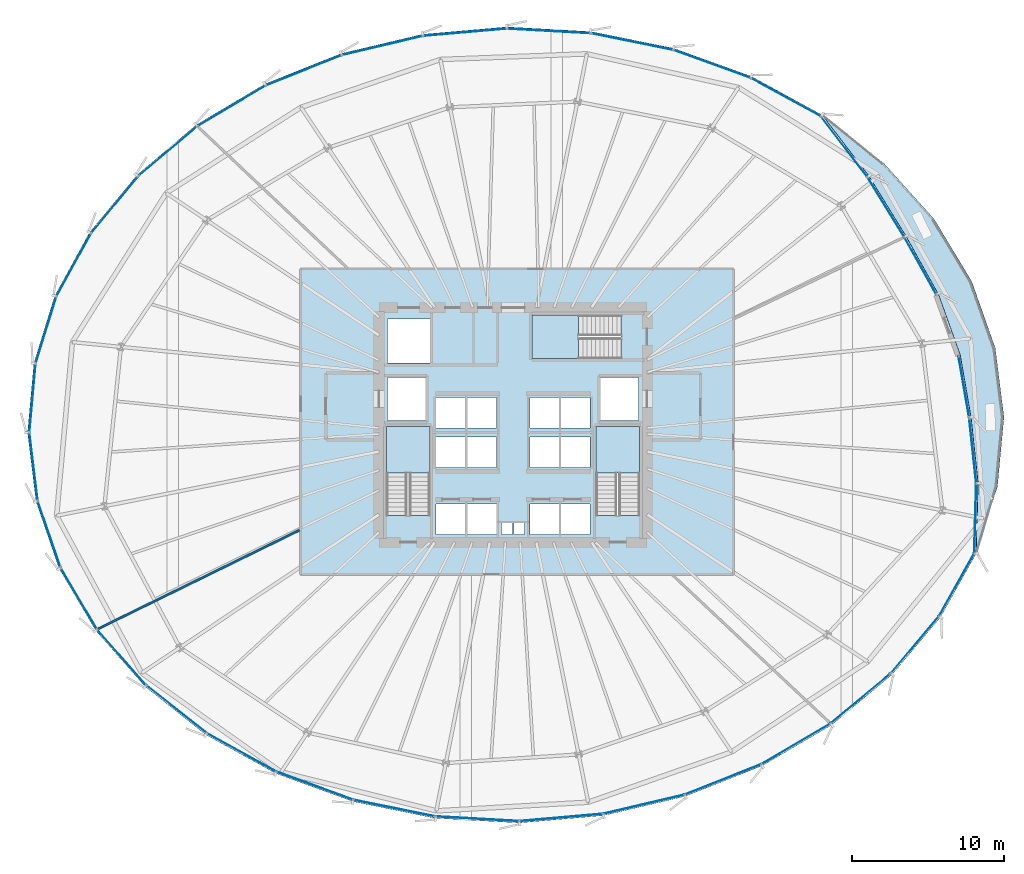
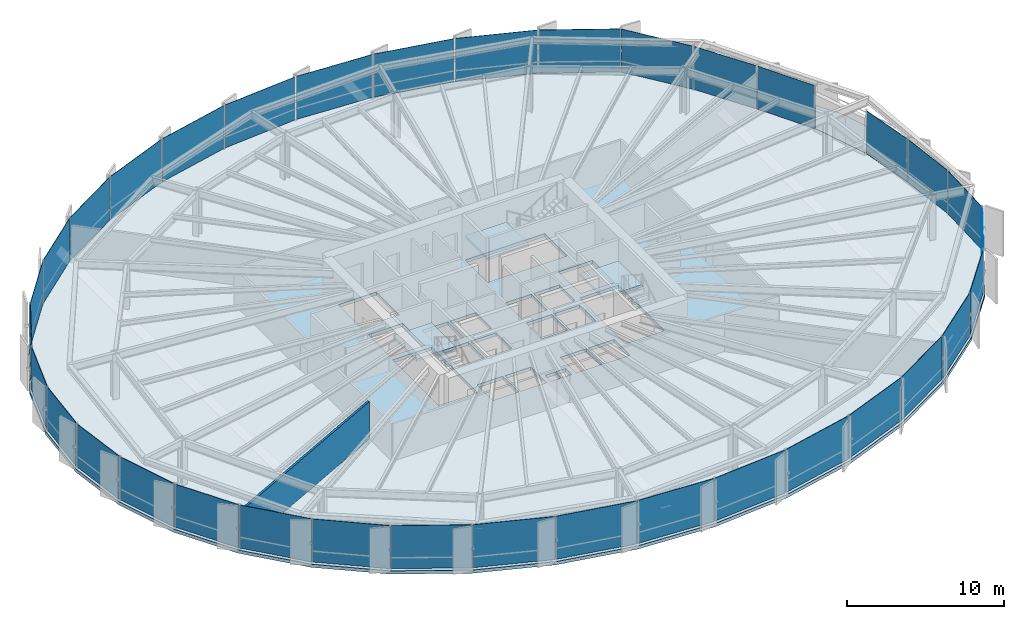
# One storey, part 30 of 39: 35 plates, 5 slabs, 1 wall, 10 elements without a shape of their own.
"""IFC4 building model written with IfcOpenShell, lengths in metres."""

from ifc_helpers import new_model, si_unit, direction, frame, frame_2d, origin, origin_2d, place, context, subcontext, project, spatial, polyline, rectangle, outline, extrude, source, transform, mapped, material, layer, layer_set, type_object, element, aggregate, save


model = new_model("IFC4")

# Units and contexts
model_context = context("Model", 3, precision=1e-05, world=origin(), true_north=direction((0.0, 1.0)))
body_context = subcontext(model_context, "Body", "Model", "MODEL_VIEW")
ifc_project = project(units=[si_unit("LENGTHUNIT", "METRE"), si_unit("AREAUNIT", "SQUARE_METRE"), si_unit("VOLUMEUNIT", "CUBIC_METRE"), si_unit("PLANEANGLEUNIT", "RADIAN"), si_unit("MASSUNIT", "GRAM", prefix="KILO"), si_unit("THERMODYNAMICTEMPERATUREUNIT", "KELVIN")], contexts=[model_context])

# Site, building, storey
site_placement = place(None, origin())
site = spatial("IfcSite", under=ifc_project, at=site_placement, CompositionType="ELEMENT")
building_placement = place(site_placement, origin())
building = spatial("IfcBuilding", under=site, at=building_placement, Name="Kethvar Cultural Tower", CompositionType="ELEMENT")
storey_placement = place(building_placement, frame((0.0, 0.0, 33.39990234375)))
storey = spatial("IfcBuildingStorey", under=building, at=storey_placement, Name="L07", CompositionType="ELEMENT", Elevation=33.39990234375)

# Stair, slab
ifc_material_1 = material(Name="Concrete C40/50", Category="concrete")
stair_type = type_object("IfcStairType", Name="ST-DOGLEG-135", PredefinedType="HALF_TURN_STAIR", material=ifc_material_1)
stair_1_placement = place(storey_placement, origin())
stair_1 = element("IfcStair", 1, at=stair_1_placement, inside=storey, type_object=stair_type, Name="L07 Core Exit Stair 1", PredefinedType="HALF_TURN_STAIR")
ifc_layer_1 = layer(ifc_material_1, 0.199951171875, Name="Concrete C40/50", Category="concrete")
ifc_layer_set_1 = layer_set([ifc_layer_1], Name="Concrete C40/50 (200 mm)")
slab_type_1 = type_object("IfcSlabType", Name="SL-STAIR-LANDING-200", PredefinedType="LANDING", material=ifc_layer_set_1)
slab_1_placement = place(storey_placement, frame((0.0, 0.0, 1.7001953125)))
slab_1 = element("IfcSlab", 2, at=slab_1_placement, type_object=slab_type_1, Name="ST-01 landing 1", PredefinedType="LANDING", context=body_context, shape_type="SweptSolid", body=[
    extrude(outline(polyline([(41.35009765625, 24.64990234375), (41.35009765625, 27.699951171875), (38.489990234375, 27.699951171875), (38.489990234375, 24.64990234375), (41.35009765625, 24.64990234375)])), origin(), (0.0, 0.0, 1.0), 0.199951171875),
])
aggregate(stair_1, [slab_1])

stair_2_placement = place(storey_placement, origin())
stair_2 = element("IfcStair", 3, at=stair_2_placement, inside=storey, type_object=stair_type, Name="L07 Core Exit Stair 2", PredefinedType="HALF_TURN_STAIR")
slab_2_placement = place(storey_placement, frame((0.0, 0.0, 1.7001953125)))
slab_2 = element("IfcSlab", 4, at=slab_2_placement, type_object=slab_type_1, Name="ST-02 landing 1", PredefinedType="LANDING", context=body_context, shape_type="SweptSolid", body=[
    extrude(outline(polyline([(55.110107421875, 24.64990234375), (55.110107421875, 27.699951171875), (52.25, 27.699951171875), (52.25, 24.64990234375), (55.110107421875, 24.64990234375)])), origin(), (0.0, 0.0, 1.0), 0.199951171875),
])
aggregate(stair_2, [slab_2])

stair_3_placement = place(storey_placement, origin())
stair_3 = element("IfcStair", 5, at=stair_3_placement, inside=storey, type_object=stair_type, Name="L07 Core Exit Stair 3", PredefinedType="HALF_TURN_STAIR")
slab_3_placement = place(storey_placement, frame((0.0, 0.0, 1.7001953125)))
slab_3 = element("IfcSlab", 6, at=slab_3_placement, type_object=slab_type_1, Name="ST-03 landing 1", PredefinedType="LANDING", context=body_context, shape_type="SweptSolid", body=[
    extrude(outline(polyline([(51.10009765625, 35.010009765625), (48.050048828125, 35.010009765625), (48.050048828125, 32.14990234375), (51.10009765625, 32.14990234375), (51.10009765625, 35.010009765625)])), origin(), (0.0, 0.0, 1.0), 0.199951171875),
])
aggregate(stair_3, [slab_3])

# Slabs
ifc_layer_2 = layer(ifc_material_1, 0.215087890625, Name="Concrete C40/50", Category="concrete")
ifc_layer_set_2 = layer_set([ifc_layer_2], Name="Concrete C40/50 (215 mm)")
slab_type_2 = type_object("IfcSlabType", Name="SL-TER-EXT", PredefinedType="FLOOR", material=ifc_layer_set_2)
slab_4_placement = place(storey_placement, frame((0.0, 0.0, -0.21484375)))
element("IfcSlab", 7, at=slab_4_placement, inside=storey, type_object=slab_type_2, Name="L07 Spiralling Sky Terrace Deck", PredefinedType="FLOOR", context=body_context, shape_type="SweptSolid", body=[
    extrude(outline(polyline([(77.201416015625, 19.335693359375), (78.608154296875, 23.759765625), (79.0341796875, 28.306396484375), (78.465576171875, 32.83740234375), (76.920654296875, 37.215087890625), (74.45166015625, 41.306640625), (71.140625, 44.98779296875), (67.09619140625, 48.146728515625), (70.163818359375, 44.1416015625), (72.596435546875, 40.1962890625), (74.725341796875, 36.376708984375), (76.157958984375, 32.39306640625), (76.87255859375, 28.2724609375), (77.331787109375, 23.964111328125), (77.201416015625, 19.335693359375)])), origin(), (0.0, 0.0, 1.0), 0.21484375),
])
ifc_layer_3 = layer(ifc_material_1, 0.25, Name="Concrete C40/50", Category="concrete")
ifc_layer_set_3 = layer_set([ifc_layer_3], Name="Concrete C40/50 (250 mm)")
slab_type_3 = type_object("IfcSlabType", Name="SL-TOW-250", PredefinedType="FLOOR", material=ifc_layer_set_3)
slab_5_placement = place(storey_placement, frame((0.0, 0.0, -0.25)))
element("IfcSlab", 8, at=slab_5_placement, inside=storey, type_object=slab_type_3, Name="L07 Structural Floor Slab", PredefinedType="FLOOR", context=body_context, shape_type="SweptSolid", body=[
    extrude(outline(polyline([(76.87255859375, 28.2724609375), (76.157958984375, 32.39306640625), (74.725341796875, 36.376708984375), (72.596435546875, 40.1962890625), (70.163818359375, 44.1416015625), (67.09619140625, 48.146728515625), (62.448486328125, 50.6875), (57.34326171875, 52.533447265625), (51.936767578125, 53.6279296875), (46.389404296875, 53.93798828125), (40.85888671875, 53.453857421875), (35.509033203125, 52.1904296875), (30.502197265625, 50.185791015625), (25.990478515625, 47.5009765625), (22.111083984375, 44.217529296875), (18.98193359375, 40.435302734375), (16.697998046875, 36.26904296875), (15.32861328125, 31.845458984375), (14.91552734375, 27.299072265625), (15.47119140625, 22.767822265625), (16.97900390625, 18.3896484375), (19.392578125, 14.297119140625), (22.63916015625, 10.614990234375), (26.61962890625, 7.455078125), (31.21337890625, 4.913330078125), (36.28076171875, 3.06689453125), (41.667724609375, 1.97216796875), (47.210693359375, 1.662109375), (52.745361328125, 2.14599609375), (58.114990234375, 3.409912109375), (63.15966796875, 5.415283203125), (67.725341796875, 8.100830078125), (71.66845703125, 11.38525390625), (74.8623046875, 15.168701171875), (77.201416015625, 19.335693359375), (77.331787109375, 23.964111328125), (76.87255859375, 28.2724609375)]), holes=[polyline([(38.489990234375, 21.85009765625), (38.489990234375, 27.699951171875), (41.35009765625, 27.699951171875), (41.35009765625, 21.85009765625), (38.489990234375, 21.85009765625)]), polyline([(52.25, 21.85009765625), (52.25, 27.699951171875), (55.110107421875, 27.699951171875), (55.110107421875, 21.85009765625), (52.25, 21.85009765625)]), polyline([(53.89990234375, 32.14990234375), (48.050048828125, 32.14990234375), (48.050048828125, 35.010009765625), (53.89990234375, 35.010009765625), (53.89990234375, 32.14990234375)]), polyline([(41.75, 22.60009765625), (43.64990234375, 22.60009765625), (43.64990234375, 20.60009765625), (41.75, 20.60009765625), (41.75, 22.60009765625)]), polyline([(43.800048828125, 22.60009765625), (45.699951171875, 22.60009765625), (45.699951171875, 20.60009765625), (43.800048828125, 20.60009765625), (43.800048828125, 22.60009765625)]), polyline([(47.89990234375, 22.60009765625), (49.800048828125, 22.60009765625), (49.800048828125, 20.60009765625), (47.89990234375, 20.60009765625), (47.89990234375, 22.60009765625)]), polyline([(49.949951171875, 22.60009765625), (51.85009765625, 22.60009765625), (51.85009765625, 20.60009765625), (49.949951171875, 20.60009765625), (49.949951171875, 22.60009765625)]), polyline([(41.75, 27.0), (43.64990234375, 27.0), (43.64990234375, 25.0), (41.75, 25.0), (41.75, 27.0)]), polyline([(43.800048828125, 27.0), (45.699951171875, 27.0), (45.699951171875, 25.0), (43.800048828125, 25.0), (43.800048828125, 27.0)]), polyline([(47.89990234375, 27.0), (49.800048828125, 27.0), (49.800048828125, 25.0), (47.89990234375, 25.0), (47.89990234375, 27.0)]), polyline([(49.949951171875, 27.0), (51.85009765625, 27.0), (51.85009765625, 25.0), (49.949951171875, 25.0), (49.949951171875, 27.0)]), polyline([(41.75, 29.60009765625), (43.64990234375, 29.60009765625), (43.64990234375, 27.60009765625), (41.75, 27.60009765625), (41.75, 29.60009765625)]), polyline([(43.800048828125, 29.60009765625), (45.699951171875, 29.60009765625), (45.699951171875, 27.60009765625), (43.800048828125, 27.60009765625), (43.800048828125, 29.60009765625)]), polyline([(47.89990234375, 29.60009765625), (49.800048828125, 29.60009765625), (49.800048828125, 27.60009765625), (47.89990234375, 27.60009765625), (47.89990234375, 29.60009765625)]), polyline([(49.949951171875, 29.60009765625), (51.85009765625, 29.60009765625), (51.85009765625, 27.60009765625), (49.949951171875, 27.60009765625), (49.949951171875, 29.60009765625)]), polyline([(38.550048828125, 30.89990234375), (41.050048828125, 30.89990234375), (41.050048828125, 28.10009765625), (38.550048828125, 28.10009765625), (38.550048828125, 30.89990234375)]), polyline([(52.550048828125, 30.89990234375), (55.050048828125, 30.89990234375), (55.050048828125, 28.10009765625), (52.550048828125, 28.10009765625), (52.550048828125, 30.89990234375)]), polyline([(38.550048828125, 34.75), (41.35009765625, 34.75), (41.35009765625, 31.85009765625), (38.550048828125, 31.85009765625), (38.550048828125, 34.75)]), polyline([(46.050048828125, 21.35009765625), (46.75, 21.35009765625), (46.75, 20.60009765625), (46.050048828125, 20.60009765625), (46.050048828125, 21.35009765625)]), polyline([(46.85009765625, 21.35009765625), (47.550048828125, 21.35009765625), (47.550048828125, 20.60009765625), (46.85009765625, 20.60009765625), (46.85009765625, 21.35009765625)])]), origin(), (0.0, 0.0, 1.0), 0.25),
])

# Curtain wall, plate
ifc_material_2 = material(Name="Aluminium 6063-T6", Category="aluminium")
ifc_layer_4 = layer(ifc_material_2, 0.179931640625, Name="Aluminium 6063-T6", Category="aluminium")
ifc_layer_set_4 = layer_set([ifc_layer_4], Name="Aluminium 6063-T6 (180 mm)")
curtain_wall_type = type_object("IfcCurtainWallType", Name="CW-SYS-02-Z1", PredefinedType="NOTDEFINED", material=ifc_layer_set_4)
curtain_wall_1_placement = place(storey_placement, origin())
curtain_wall_1 = element("IfcCurtainWall", 9, at=curtain_wall_1_placement, inside=storey, type_object=curtain_wall_type, Name="L07 Curtain Wall Run 01", PredefinedType="NOTDEFINED")
ifc_material_3 = material(Name="Insulated Low-E Solar Glass", Category="glass")
ifc_layer_5 = layer(ifc_material_3, 0.031982421875, Name="Insulated Low-E Solar Glass", Category="glass")
ifc_layer_set_5 = layer_set([ifc_layer_5], Name="Insulated Low-E Solar Glass (32 mm)")
plate_type = type_object("IfcPlateType", Name="CW-SYS-02-Z1-PNL", PredefinedType="CURTAIN_PANEL", material=ifc_layer_set_5)
shared_shape_1 = source(origin(), body_context, "Body", "SweptSolid", [
    extrude(rectangle(XDim=4.08837890625, YDim=0.031982421875, at=origin_2d()), origin(), (0.0, 0.0, 1.0), 3.35009765625),
])
plate_1_placement = place(storey_placement, frame((76.397216796875, 30.312255859375, 0.10009765625), z_axis=(0.0, 0.0, 1.0), x_axis=(-0.170897402123, 0.985288829708, 0.0)))
plate_1 = element("IfcPlate", 10, at=plate_1_placement, type_object=plate_type, Name="CW-L07-R01 Vision Glazing Panel 1", PredefinedType="CURTAIN_PANEL", context=body_context, shape_type="MappedRepresentation", body=[
    mapped(shared_shape_1, transform((0.0, 0.0, 0.0), scale=1.0)),
])
aggregate(curtain_wall_1, [plate_1])

# Curtain wall, plates
curtain_wall_2_placement = place(storey_placement, origin())
curtain_wall_2 = element("IfcCurtainWall", 11, at=curtain_wall_2_placement, inside=storey, type_object=curtain_wall_type, Name="L07 Curtain Wall Run 02", PredefinedType="NOTDEFINED")
shared_shape_2 = source(origin(), body_context, "Body", "SweptSolid", [
    extrude(rectangle(XDim=4.279052734375, YDim=0.031982421875, at=origin_2d()), origin(), (0.0, 0.0, 1.0), 3.35009765625),
])
plate_2_placement = place(storey_placement, frame((73.55615234375, 38.22802734375, 0.10009765625), z_axis=(0.0, 0.0, 1.0), x_axis=(-0.486838556403, 0.873491969053, 0.0)))
plate_2 = element("IfcPlate", 12, at=plate_2_placement, type_object=plate_type, Name="CW-L07-R02 Vision Glazing Panel 1", PredefinedType="CURTAIN_PANEL", context=body_context, shape_type="MappedRepresentation", body=[
    mapped(shared_shape_2, transform((0.0, 0.0, 0.0), scale=1.0)),
])
shared_shape_3 = source(origin(), body_context, "Body", "SweptSolid", [
    extrude(rectangle(XDim=4.54150390625, YDim=0.031982421875, at=origin_2d()), origin(), (0.0, 0.0, 1.0), 3.35009765625),
])
plate_3_placement = place(storey_placement, frame((71.278076171875, 42.10595703125, 0.10009765625), z_axis=(0.0, 0.0, 1.0), x_axis=(-0.524877544859, 0.851177750474, 0.0)))
plate_3 = element("IfcPlate", 13, at=plate_3_placement, type_object=plate_type, Name="CW-L07-R02 Vision Glazing Panel 2", PredefinedType="CURTAIN_PANEL", context=body_context, shape_type="MappedRepresentation", body=[
    mapped(shared_shape_3, transform((0.0, 0.0, 0.0), scale=1.0)),
])
shared_shape_4 = source(origin(), body_context, "Body", "SweptSolid", [
    extrude(rectangle(XDim=4.951416015625, YDim=0.031982421875, at=origin_2d()), origin(), (0.0, 0.0, 1.0), 3.35009765625),
])
plate_4_placement = place(storey_placement, frame((68.534912109375, 46.0712890625, 0.10009765625), z_axis=(0.0, 0.0, 1.0), x_axis=(-0.608027297384, 0.793916120025, 0.0)))
plate_4 = element("IfcPlate", 14, at=plate_4_placement, type_object=plate_type, Name="CW-L07-R02 Vision Glazing Panel 3", PredefinedType="CURTAIN_PANEL", context=body_context, shape_type="MappedRepresentation", body=[
    mapped(shared_shape_4, transform((0.0, 0.0, 0.0), scale=1.0)),
])
shared_shape_5 = source(origin(), body_context, "Body", "SweptSolid", [
    extrude(rectangle(XDim=5.203369140625, YDim=0.031982421875, at=origin_2d()), origin(), (0.0, 0.0, 1.0), 3.35009765625),
])
plate_5_placement = place(storey_placement, frame((64.71484375, 49.31201171875, 0.10009765625), z_axis=(0.0, 0.0, 1.0), x_axis=(-0.877439351872, 0.479687589777, 0.0)))
plate_5 = element("IfcPlate", 15, at=plate_5_placement, type_object=plate_type, Name="CW-L07-R02 Vision Glazing Panel 4", PredefinedType="CURTAIN_PANEL", context=body_context, shape_type="MappedRepresentation", body=[
    mapped(shared_shape_5, transform((0.0, 0.0, 0.0), scale=1.0)),
])

# Curtain wall, plate
curtain_wall_3_placement = place(storey_placement, origin())
curtain_wall_3 = element("IfcCurtainWall", 16, at=curtain_wall_3_placement, inside=storey, type_object=curtain_wall_type, Name="L07 Curtain Wall Run 06", PredefinedType="NOTDEFINED")
plate_6_placement = place(storey_placement, frame((65.381591796875, 6.861572265625, 0.10009765625), z_axis=(0.0, 0.0, 1.0), x_axis=(0.861939037204, 0.507011928996, 0.0)))
plate_6 = element("IfcPlate", 17, at=plate_6_placement, type_object=plate_type, Name="CW-L07-R06 Vision Glazing Panel 5", PredefinedType="CURTAIN_PANEL", context=body_context, shape_type="MappedRepresentation", body=[
    mapped(shared_shape_5, transform((0.0, 0.0, 0.0), scale=1.0)),
])

# Plate
shared_shape_6 = source(origin(), body_context, "Body", "SweptSolid", [
    extrude(rectangle(XDim=5.335205078125, YDim=0.031982421875, at=origin_2d()), origin(), (0.0, 0.0, 1.0), 3.35009765625),
])
plate_7_placement = place(storey_placement, frame((59.85498046875, 51.497802734375, 0.10009765625), z_axis=(0.0, 0.0, 1.0), x_axis=(-0.940424688355, 0.340002066952, 0.0)))
plate_7 = element("IfcPlate", 18, at=plate_7_placement, type_object=plate_type, Name="CW-L07-R02 Vision Glazing Panel 5", PredefinedType="CURTAIN_PANEL", context=body_context, shape_type="MappedRepresentation", body=[
    mapped(shared_shape_6, transform((0.0, 0.0, 0.0), scale=1.0)),
])

plate_8_placement = place(storey_placement, frame((60.593017578125, 4.524169921875, 0.10009765625), z_axis=(0.0, 0.0, 1.0), x_axis=(0.92928092253, 0.369373749774, 0.0)))
plate_8 = element("IfcPlate", 19, at=plate_8_placement, type_object=plate_type, Name="CW-L07-R06 Vision Glazing Panel 4", PredefinedType="CURTAIN_PANEL", context=body_context, shape_type="MappedRepresentation", body=[
    mapped(shared_shape_6, transform((0.0, 0.0, 0.0), scale=1.0)),
])

shared_shape_7 = source(origin(), body_context, "Body", "SweptSolid", [
    extrude(rectangle(XDim=5.422607421875, YDim=0.031982421875, at=origin_2d()), origin(), (0.0, 0.0, 1.0), 3.35009765625),
])
plate_9_placement = place(storey_placement, frame((54.6162109375, 52.963134765625, 0.10009765625), z_axis=(0.0, 0.0, 1.0), x_axis=(-0.980115632585, 0.198427182518, 0.0)))
plate_9 = element("IfcPlate", 20, at=plate_9_placement, type_object=plate_type, Name="CW-L07-R02 Vision Glazing Panel 6", PredefinedType="CURTAIN_PANEL", context=body_context, shape_type="MappedRepresentation", body=[
    mapped(shared_shape_7, transform((0.0, 0.0, 0.0), scale=1.0)),
])

aggregate(curtain_wall_2, [plate_2, plate_3, plate_4, plate_5, plate_7, plate_9])

plate_10_placement = place(storey_placement, frame((55.402587890625, 2.894775390625, 0.10009765625), z_axis=(0.0, 0.0, 1.0), x_axis=(0.973399256261, 0.229115446685, 0.0)))
plate_10 = element("IfcPlate", 21, at=plate_10_placement, type_object=plate_type, Name="CW-L07-R06 Vision Glazing Panel 3", PredefinedType="CURTAIN_PANEL", context=body_context, shape_type="MappedRepresentation", body=[
    mapped(shared_shape_7, transform((0.0, 0.0, 0.0), scale=1.0)),
])

# Curtain wall, plate
curtain_wall_4_placement = place(storey_placement, origin())
curtain_wall_4 = element("IfcCurtainWall", 22, at=curtain_wall_4_placement, inside=storey, type_object=curtain_wall_type, Name="L07 Curtain Wall Run 03", PredefinedType="NOTDEFINED")
shared_shape_8 = source(origin(), body_context, "Body", "SweptSolid", [
    extrude(rectangle(XDim=5.46240234375, YDim=0.031982421875, at=origin_2d()), origin(), (0.0, 0.0, 1.0), 3.35009765625),
])
plate_11_placement = place(storey_placement, frame((49.156494140625, 53.6630859375, 0.10009765625), z_axis=(0.0, 0.0, 1.0), x_axis=(-0.998441738299, 0.055804078906, 0.0)))
plate_11 = element("IfcPlate", 23, at=plate_11_placement, type_object=plate_type, Name="CW-L07-R03 Vision Glazing Panel 1", PredefinedType="CURTAIN_PANEL", context=body_context, shape_type="MappedRepresentation", body=[
    mapped(shared_shape_8, transform((0.0, 0.0, 0.0), scale=1.0)),
])

# Plate
plate_12_placement = place(storey_placement, frame((49.967529296875, 2.023681640625, 0.10009765625), z_axis=(0.0, 0.0, 1.0), x_axis=(0.996196219095, 0.087138355857, 0.0)))
plate_12 = element("IfcPlate", 24, at=plate_12_placement, type_object=plate_type, Name="CW-L07-R06 Vision Glazing Panel 2", PredefinedType="CURTAIN_PANEL", context=body_context, shape_type="MappedRepresentation", body=[
    mapped(shared_shape_8, transform((0.0, 0.0, 0.0), scale=1.0)),
])

shared_shape_9 = source(origin(), body_context, "Body", "SweptSolid", [
    extrude(rectangle(XDim=5.4580078125, YDim=0.031982421875, at=origin_2d()), origin(), (0.0, 0.0, 1.0), 3.35009765625),
])
plate_13_placement = place(storey_placement, frame((43.634765625, 53.576416015625, 0.10009765625), z_axis=(0.0, 0.0, 1.0), x_axis=(-0.996190133262, -0.087207903261, 0.0)))
plate_13 = element("IfcPlate", 25, at=plate_13_placement, type_object=plate_type, Name="CW-L07-R03 Vision Glazing Panel 2", PredefinedType="CURTAIN_PANEL", context=body_context, shape_type="MappedRepresentation", body=[
    mapped(shared_shape_9, transform((0.0, 0.0, 0.0), scale=1.0)),
])

plate_14_placement = place(storey_placement, frame((44.44580078125, 1.93701171875, 0.10009765625), z_axis=(0.0, 0.0, 1.0), x_axis=(0.998438815036, -0.055856357117, 0.0)))
plate_14 = element("IfcPlate", 26, at=plate_14_placement, type_object=plate_type, Name="CW-L07-R06 Vision Glazing Panel 1", PredefinedType="CURTAIN_PANEL", context=body_context, shape_type="MappedRepresentation", body=[
    mapped(shared_shape_9, transform((0.0, 0.0, 0.0), scale=1.0)),
])

shared_shape_10 = source(origin(), body_context, "Body", "SweptSolid", [
    extrude(rectangle(XDim=5.403564453125, YDim=0.031982421875, at=origin_2d()), origin(), (0.0, 0.0, 1.0), 3.35009765625),
])
plate_15_placement = place(storey_placement, frame((38.211669921875, 52.705322265625, 0.10009765625), z_axis=(0.0, 0.0, 1.0), x_axis=(-0.973227032937, -0.229845910038, 0.0)))
plate_15 = element("IfcPlate", 27, at=plate_15_placement, type_object=plate_type, Name="CW-L07-R03 Vision Glazing Panel 3", PredefinedType="CURTAIN_PANEL", context=body_context, shape_type="MappedRepresentation", body=[
    mapped(shared_shape_10, transform((0.0, 0.0, 0.0), scale=1.0)),
])

# Curtain wall, plate
curtain_wall_5_placement = place(storey_placement, origin())
curtain_wall_5 = element("IfcCurtainWall", 28, at=curtain_wall_5_placement, inside=storey, type_object=curtain_wall_type, Name="L07 Curtain Wall Run 05", PredefinedType="NOTDEFINED")
plate_16_placement = place(storey_placement, frame((38.998046875, 2.63720703125, 0.10009765625), z_axis=(0.0, 0.0, 1.0), x_axis=(0.979962962457, -0.199179798706, 0.0)))
plate_16 = element("IfcPlate", 29, at=plate_16_placement, type_object=plate_type, Name="CW-L07-R05 Vision Glazing Panel 6", PredefinedType="CURTAIN_PANEL", context=body_context, shape_type="MappedRepresentation", body=[
    mapped(shared_shape_10, transform((0.0, 0.0, 0.0), scale=1.0)),
])

# Plate
shared_shape_11 = source(origin(), body_context, "Body", "SweptSolid", [
    extrude(rectangle(XDim=5.2998046875, YDim=0.031982421875, at=origin_2d()), origin(), (0.0, 0.0, 1.0), 3.35009765625),
])
plate_17_placement = place(storey_placement, frame((33.05029296875, 51.07666015625, 0.10009765625), z_axis=(0.0, 0.0, 1.0), x_axis=(-0.928349651099, -0.371708118428, 0.0)))
plate_17 = element("IfcPlate", 30, at=plate_17_placement, type_object=plate_type, Name="CW-L07-R03 Vision Glazing Panel 4", PredefinedType="CURTAIN_PANEL", context=body_context, shape_type="MappedRepresentation", body=[
    mapped(shared_shape_11, transform((0.0, 0.0, 0.0), scale=1.0)),
])

shared_shape_12 = source(origin(), body_context, "Body", "SweptSolid", [
    extrude(rectangle(XDim=5.15625, YDim=0.031982421875, at=origin_2d()), origin(), (0.0, 0.0, 1.0), 3.35009765625),
])
plate_18_placement = place(storey_placement, frame((28.3076171875, 48.739990234375, 0.10009765625), z_axis=(0.0, 0.0, 1.0), x_axis=(-0.859352864303, -0.511383080102, 0.0)))
plate_18 = element("IfcPlate", 31, at=plate_18_placement, type_object=plate_type, Name="CW-L07-R03 Vision Glazing Panel 5", PredefinedType="CURTAIN_PANEL", context=body_context, shape_type="MappedRepresentation", body=[
    mapped(shared_shape_12, transform((0.0, 0.0, 0.0), scale=1.0)),
])

shared_shape_13 = source(origin(), body_context, "Body", "SweptSolid", [
    extrude(rectangle(XDim=4.98876953125, YDim=0.031982421875, at=origin_2d()), origin(), (0.0, 0.0, 1.0), 3.35009765625),
])
plate_19_placement = place(storey_placement, frame((24.12841796875, 45.767578125, 0.10009765625), z_axis=(0.0, 0.0, 1.0), x_axis=(-0.763300127542, -0.646044050583, 0.0)))
plate_19 = element("IfcPlate", 32, at=plate_19_placement, type_object=plate_type, Name="CW-L07-R03 Vision Glazing Panel 6", PredefinedType="CURTAIN_PANEL", context=body_context, shape_type="MappedRepresentation", body=[
    mapped(shared_shape_13, transform((0.0, 0.0, 0.0), scale=1.0)),
])

aggregate(curtain_wall_4, [plate_11, plate_13, plate_15, plate_17, plate_18, plate_19])

plate_20_placement = place(storey_placement, frame((24.7041015625, 9.129150390625, 0.10009765625), z_axis=(0.0, 0.0, 1.0), x_axis=(0.783227070489, -0.621735760636, 0.0)))
plate_20 = element("IfcPlate", 33, at=plate_20_placement, type_object=plate_type, Name="CW-L07-R05 Vision Glazing Panel 3", PredefinedType="CURTAIN_PANEL", context=body_context, shape_type="MappedRepresentation", body=[
    mapped(shared_shape_13, transform((0.0, 0.0, 0.0), scale=1.0)),
])

# Curtain wall, plate
curtain_wall_6_placement = place(storey_placement, origin())
curtain_wall_6 = element("IfcCurtainWall", 34, at=curtain_wall_6_placement, inside=storey, type_object=curtain_wall_type, Name="L07 Curtain Wall Run 04", PredefinedType="NOTDEFINED")
shared_shape_14 = source(origin(), body_context, "Body", "SweptSolid", [
    extrude(rectangle(XDim=4.815185546875, YDim=0.031982421875, at=origin_2d()), origin(), (0.0, 0.0, 1.0), 3.35009765625),
])
plate_21_placement = place(storey_placement, frame((20.638916015625, 42.249755859375, 0.10009765625), z_axis=(0.0, 0.0, 1.0), x_axis=(-0.637450885346, -0.770490992012, 0.0)))
plate_21 = element("IfcPlate", 35, at=plate_21_placement, type_object=plate_type, Name="CW-L07-R04 Vision Glazing Panel 1", PredefinedType="CURTAIN_PANEL", context=body_context, shape_type="MappedRepresentation", body=[
    mapped(shared_shape_14, transform((0.0, 0.0, 0.0), scale=1.0)),
])

# Plate
plate_22_placement = place(storey_placement, frame((21.10595703125, 12.53564453125, 0.10009765625), z_axis=(0.0, 0.0, 1.0), x_axis=(0.661351140141, -0.750076442394, 0.0)))
plate_22 = element("IfcPlate", 36, at=plate_22_placement, type_object=plate_type, Name="CW-L07-R05 Vision Glazing Panel 2", PredefinedType="CURTAIN_PANEL", context=body_context, shape_type="MappedRepresentation", body=[
    mapped(shared_shape_14, transform((0.0, 0.0, 0.0), scale=1.0)),
])

shared_shape_15 = source(origin(), body_context, "Body", "SweptSolid", [
    extrude(rectangle(XDim=4.65771484375, YDim=0.031982421875, at=origin_2d()), origin(), (0.0, 0.0, 1.0), 3.35009765625),
])
plate_23_placement = place(storey_placement, frame((17.9453125, 38.29443359375, 0.10009765625), z_axis=(0.0, 0.0, 1.0), x_axis=(-0.480728617686, -0.876869429355, 0.0)))
plate_23 = element("IfcPlate", 37, at=plate_23_placement, type_object=plate_type, Name="CW-L07-R04 Vision Glazing Panel 2", PredefinedType="CURTAIN_PANEL", context=body_context, shape_type="MappedRepresentation", body=[
    mapped(shared_shape_15, transform((0.0, 0.0, 0.0), scale=1.0)),
])

plate_24_placement = place(storey_placement, frame((18.2890625, 16.404296875, 0.10009765625), z_axis=(0.0, 0.0, 1.0), x_axis=(0.508019508283, -0.861345563177, 0.0)))
plate_24 = element("IfcPlate", 38, at=plate_24_placement, type_object=plate_type, Name="CW-L07-R05 Vision Glazing Panel 1", PredefinedType="CURTAIN_PANEL", context=body_context, shape_type="MappedRepresentation", body=[
    mapped(shared_shape_15, transform((0.0, 0.0, 0.0), scale=1.0)),
])

shared_shape_16 = source(origin(), body_context, "Body", "SweptSolid", [
    extrude(rectangle(XDim=4.537109375, YDim=0.031982421875, at=origin_2d()), origin(), (0.0, 0.0, 1.0), 3.35009765625),
])
plate_25_placement = place(storey_placement, frame((16.1279296875, 34.021728515625, 0.10009765625), z_axis=(0.0, 0.0, 1.0), x_axis=(-0.295708050044, -0.955278362122, 0.0)))
plate_25 = element("IfcPlate", 39, at=plate_25_placement, type_object=plate_type, Name="CW-L07-R04 Vision Glazing Panel 3", PredefinedType="CURTAIN_PANEL", context=body_context, shape_type="MappedRepresentation", body=[
    mapped(shared_shape_16, transform((0.0, 0.0, 0.0), scale=1.0)),
])

plate_26_placement = place(storey_placement, frame((16.338623046875, 20.617919921875, 0.10009765625), z_axis=(0.0, 0.0, 1.0), x_axis=(0.325568154457, -0.945518575599, 0.0)))
plate_26 = element("IfcPlate", 40, at=plate_26_placement, type_object=plate_type, Name="CW-L07-R04 Vision Glazing Panel 6", PredefinedType="CURTAIN_PANEL", context=body_context, shape_type="MappedRepresentation", body=[
    mapped(shared_shape_16, transform((0.0, 0.0, 0.0), scale=1.0)),
])

shared_shape_17 = source(origin(), body_context, "Body", "SweptSolid", [
    extrude(rectangle(XDim=4.4716796875, YDim=0.031982421875, at=origin_2d()), origin(), (0.0, 0.0, 1.0), 3.35009765625),
])
plate_27_placement = place(storey_placement, frame((15.24169921875, 29.561279296875, 0.10009765625), z_axis=(0.0, 0.0, 1.0), x_axis=(-0.090493527621, -0.995897043604, 0.0)))
plate_27 = element("IfcPlate", 41, at=plate_27_placement, type_object=plate_type, Name="CW-L07-R04 Vision Glazing Panel 4", PredefinedType="CURTAIN_PANEL", context=body_context, shape_type="MappedRepresentation", body=[
    mapped(shared_shape_17, transform((0.0, 0.0, 0.0), scale=1.0)),
])

plate_28_placement = place(storey_placement, frame((15.3125, 25.048095703125, 0.10009765625), z_axis=(0.0, 0.0, 1.0), x_axis=(0.121730756631, -0.992563158137, 0.0)))
plate_28 = element("IfcPlate", 42, at=plate_28_placement, type_object=plate_type, Name="CW-L07-R04 Vision Glazing Panel 5", PredefinedType="CURTAIN_PANEL", context=body_context, shape_type="MappedRepresentation", body=[
    mapped(shared_shape_17, transform((0.0, 0.0, 0.0), scale=1.0)),
])

aggregate(curtain_wall_6, [plate_21, plate_23, plate_25, plate_27, plate_28, plate_26])

shared_shape_18 = source(origin(), body_context, "Body", "SweptSolid", [
    extrude(rectangle(XDim=5.156494140625, YDim=0.031982421875, at=origin_2d()), origin(), (0.0, 0.0, 1.0), 3.35009765625),
])
plate_29_placement = place(storey_placement, frame((28.974609375, 6.289306640625, 0.10009765625), z_axis=(0.0, 0.0, 1.0), x_axis=(0.874983306333, -0.484153089052, 0.0)))
plate_29 = element("IfcPlate", 43, at=plate_29_placement, type_object=plate_type, Name="CW-L07-R05 Vision Glazing Panel 4", PredefinedType="CURTAIN_PANEL", context=body_context, shape_type="MappedRepresentation", body=[
    mapped(shared_shape_18, transform((0.0, 0.0, 0.0), scale=1.0)),
])

shared_shape_19 = source(origin(), body_context, "Body", "SweptSolid", [
    extrude(rectangle(XDim=5.299560546875, YDim=0.031982421875, at=origin_2d()), origin(), (0.0, 0.0, 1.0), 3.35009765625),
])
plate_30_placement = place(storey_placement, frame((33.7880859375, 4.102783203125, 0.10009765625), z_axis=(0.0, 0.0, 1.0), x_axis=(0.939567200742, -0.342364535679, 0.0)))
plate_30 = element("IfcPlate", 44, at=plate_30_placement, type_object=plate_type, Name="CW-L07-R05 Vision Glazing Panel 5", PredefinedType="CURTAIN_PANEL", context=body_context, shape_type="MappedRepresentation", body=[
    mapped(shared_shape_19, transform((0.0, 0.0, 0.0), scale=1.0)),
])

aggregate(curtain_wall_5, [plate_24, plate_22, plate_20, plate_29, plate_30, plate_16])

shared_shape_20 = source(origin(), body_context, "Body", "SweptSolid", [
    extrude(rectangle(XDim=5.0380859375, YDim=0.031982421875, at=origin_2d()), origin(), (0.0, 0.0, 1.0), 3.35009765625),
])
plate_31_placement = place(storey_placement, frame((69.6201171875, 9.83544921875, 0.10009765625), z_axis=(0.0, 0.0, 1.0), x_axis=(0.768361722012, 0.640015831168, 0.0)))
plate_31 = element("IfcPlate", 45, at=plate_31_placement, type_object=plate_type, Name="CW-L07-R06 Vision Glazing Panel 6", PredefinedType="CURTAIN_PANEL", context=body_context, shape_type="MappedRepresentation", body=[
    mapped(shared_shape_20, transform((0.0, 0.0, 0.0), scale=1.0)),
])

aggregate(curtain_wall_3, [plate_14, plate_12, plate_10, plate_8, plate_6, plate_31])

# Curtain wall, plates
curtain_wall_7_placement = place(storey_placement, origin())
curtain_wall_7 = element("IfcCurtainWall", 46, at=curtain_wall_7_placement, inside=storey, type_object=curtain_wall_type, Name="L07 Curtain Wall Run 07", PredefinedType="NOTDEFINED")
shared_shape_21 = source(origin(), body_context, "Body", "SweptSolid", [
    extrude(rectangle(XDim=4.857421875, YDim=0.031982421875, at=origin_2d()), origin(), (0.0, 0.0, 1.0), 3.35009765625),
])
plate_32_placement = place(storey_placement, frame((73.173583984375, 13.3544921875, 0.10009765625), z_axis=(0.0, 0.0, 1.0), x_axis=(0.645057676599, 0.764133884775, 0.0)))
plate_32 = element("IfcPlate", 47, at=plate_32_placement, type_object=plate_type, Name="CW-L07-R07 Vision Glazing Panel 1", PredefinedType="CURTAIN_PANEL", context=body_context, shape_type="MappedRepresentation", body=[
    mapped(shared_shape_21, transform((0.0, 0.0, 0.0), scale=1.0)),
])
shared_shape_22 = source(origin(), body_context, "Body", "SweptSolid", [
    extrude(rectangle(XDim=4.685302734375, YDim=0.031982421875, at=origin_2d()), origin(), (0.0, 0.0, 1.0), 3.35009765625),
])
plate_33_placement = place(storey_placement, frame((75.92724609375, 17.310791015625, 0.10009765625), z_axis=(0.0, 0.0, 1.0), x_axis=(0.489519430032, 0.871992389658, 0.0)))
plate_33 = element("IfcPlate", 48, at=plate_33_placement, type_object=plate_type, Name="CW-L07-R07 Vision Glazing Panel 2", PredefinedType="CURTAIN_PANEL", context=body_context, shape_type="MappedRepresentation", body=[
    mapped(shared_shape_22, transform((0.0, 0.0, 0.0), scale=1.0)),
])
shared_shape_23 = source(origin(), body_context, "Body", "SweptSolid", [
    extrude(rectangle(XDim=4.53662109375, YDim=0.031982421875, at=origin_2d()), origin(), (0.0, 0.0, 1.0), 3.35009765625),
])
plate_34_placement = place(storey_placement, frame((77.146728515625, 21.6533203125, 0.10009765625), z_axis=(0.0, 0.0, 1.0), x_axis=(0.028165888716, 0.999603262656, 0.0)))
plate_34 = element("IfcPlate", 49, at=plate_34_placement, type_object=plate_type, Name="CW-L07-R07 Vision Glazing Panel 3", PredefinedType="CURTAIN_PANEL", context=body_context, shape_type="MappedRepresentation", body=[
    mapped(shared_shape_23, transform((0.0, 0.0, 0.0), scale=1.0)),
])
shared_shape_24 = source(origin(), body_context, "Body", "SweptSolid", [
    extrude(rectangle(XDim=4.239013671875, YDim=0.031982421875, at=origin_2d()), origin(), (0.0, 0.0, 1.0), 3.35009765625),
])
plate_35_placement = place(storey_placement, frame((76.98291015625, 26.105712890625, 0.10009765625), z_axis=(0.0, 0.0, 1.0), x_axis=(-0.106003750633, 0.994365729926, 0.0)))
plate_35 = element("IfcPlate", 50, at=plate_35_placement, type_object=plate_type, Name="CW-L07-R07 Vision Glazing Panel 4", PredefinedType="CURTAIN_PANEL", context=body_context, shape_type="MappedRepresentation", body=[
    mapped(shared_shape_24, transform((0.0, 0.0, 0.0), scale=1.0)),
])
aggregate(curtain_wall_7, [plate_32, plate_33, plate_34, plate_35])

# Wall
ifc_material_4 = material(Name="Gypsum Acoustic Partition")
ifc_layer_6 = layer(ifc_material_4, 0.14990234375, Name="Gypsum Acoustic Partition")
ifc_layer_set_6 = layer_set([ifc_layer_6], Name="Gypsum Acoustic Partition (150 mm)")
wall_type = type_object("IfcWallType", Name="WL-PART-150", PredefinedType="PARTITIONING", material=ifc_layer_set_6)
wall_placement = place(storey_placement, frame((32.7783203125, 20.89208984375, 0.0), z_axis=(0.0, 0.0, 1.0), x_axis=(-0.897976844956, -0.440042709204, 0.0)))
element("IfcWall", 51, at=wall_placement, inside=storey, type_object=wall_type, Name="L07 Radial Partition Wall 01", PredefinedType="PARTITIONING", context=body_context, shape_type="SweptSolid", body=[
    extrude(rectangle(XDim=14.6962890625, YDim=0.14990234375, at=frame_2d((7.34814453125, 0.0))), origin(), (0.0, 0.0, 1.0), 2.925048828125),
])

save(model, "model.ifc")
